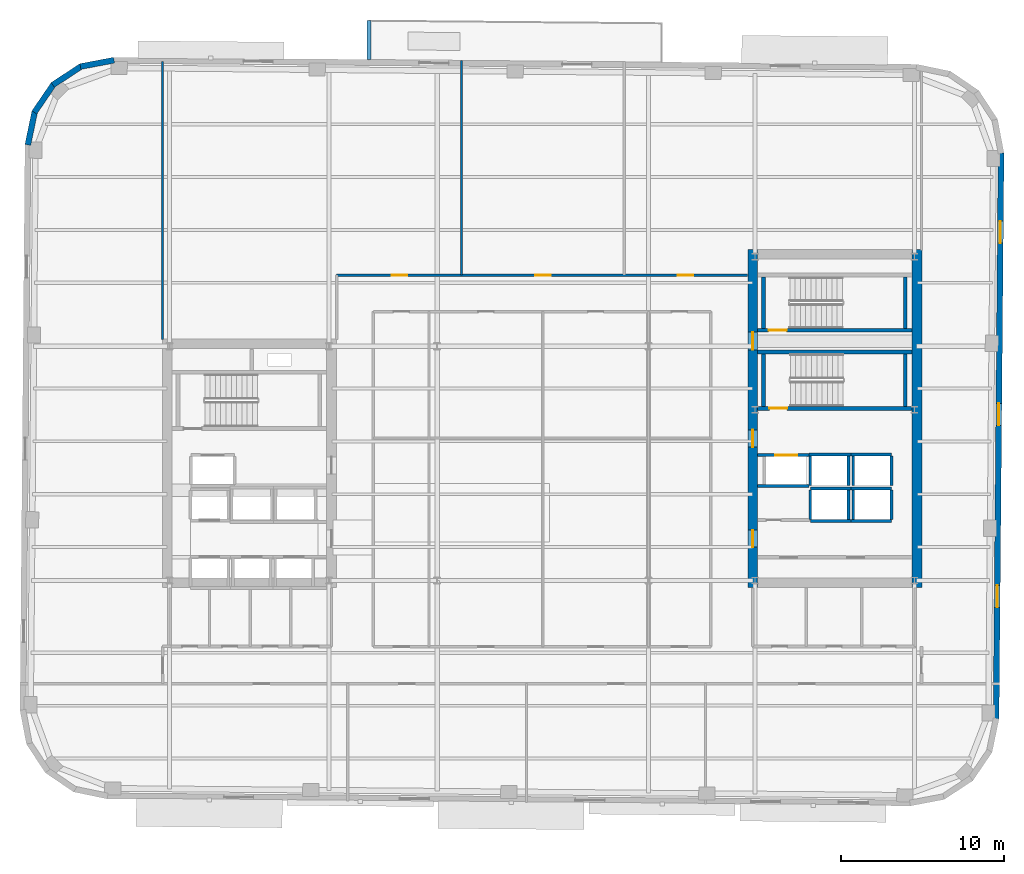
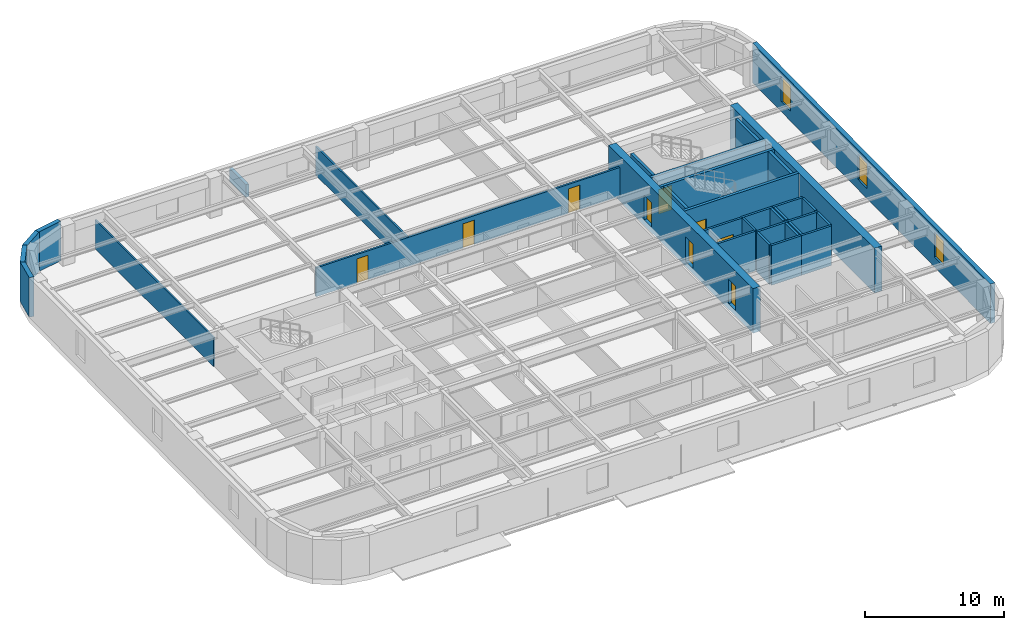
# One storey, part 6 of 11: 34 walls, 9 doors, 3 windows, 12 openings.
"""IFC4 building model written with IfcOpenShell, lengths in metres."""

from ifc_helpers import new_model, si_unit, direction, frame, frame_2d, origin, place, context, subcontext, project, spatial, rectangle, extrude, material, layer, layer_set, type_object, element, fill, save


model = new_model("IFC4")

# Units and contexts
model_context = context("Model", 3, precision=1e-05, world=origin(), true_north=direction((0.0, 1.0)))
body_context = subcontext(model_context, "Body", "Model", "MODEL_VIEW")
ifc_project = project(units=[si_unit("LENGTHUNIT", "METRE"), si_unit("AREAUNIT", "SQUARE_METRE"), si_unit("VOLUMEUNIT", "CUBIC_METRE"), si_unit("PLANEANGLEUNIT", "RADIAN"), si_unit("MASSUNIT", "GRAM", prefix="KILO")], contexts=[model_context])

# Site, building, storey
site_placement = place(None, origin())
site = spatial("IfcSite", under=ifc_project, at=site_placement, CompositionType="ELEMENT")
building_placement = place(site_placement, origin())
building = spatial("IfcBuilding", under=site, at=building_placement, Name="Kolvaren Arena Tower", CompositionType="ELEMENT")
storey_placement = place(building_placement, frame((0.0, 0.0, 158.449951171875)))
storey = spatial("IfcBuildingStorey", under=building, at=storey_placement, Name="L37", CompositionType="ELEMENT", Elevation=158.449951171875)

# Wall, openings, doors
ifc_material_1 = material(Name="Gypsum board acoustic assembly", Category="gypsum")
ifc_layer_1 = layer(ifc_material_1, 0.159912109375)
ifc_layer_set_1 = layer_set([ifc_layer_1], Name="Gypsum board acoustic assembly")
wall_type_1 = type_object("IfcWallType", Name="CORR-160", PredefinedType="PARTITIONING", material=ifc_layer_set_1)
wall_1_placement = place(storey_placement, frame((24.820068359375, 38.219970703125, 0.0), z_axis=(0.0, 0.0, 1.0), x_axis=(1.0, 0.0, 0.0)))
wall_1 = element("IfcWall", 1, at=wall_1_placement, inside=storey, type_object=wall_type_1, Name="Interior Partition Wall (L37)", PredefinedType="PARTITIONING", context=body_context, shape_type="SweptSolid", body=[
    extrude(rectangle(XDim=25.260009765625, YDim=0.159912109375, at=frame_2d((12.6298828125, 0.0))), origin(), (0.0, 0.0, 1.0), 2.5400390625),
])
opening_1_placement = place(wall_1_placement, frame((3.3798828125, 0.0, 0.0)))
opening_1 = element("IfcOpeningElement", 2, at=opening_1_placement, cuts=wall_1, Name="Opening D05", PredefinedType="OPENING", context=body_context, shape_type="SweptSolid", body=[
    extrude(rectangle(XDim=0.949951171875, YDim=2.14990234375, at=frame_2d((0.47509765625, 1.074951171875))), frame((0.0, 0.08984375, 0.0), z_axis=(0.0, -1.0, 0.0), x_axis=(1.0, 0.0, 0.0)), (0.0, 0.0, 1.0), 0.179931640625),
])
opening_2_placement = place(wall_1_placement, frame((12.205078125, 0.0, 0.0)))
opening_2 = element("IfcOpeningElement", 3, at=opening_2_placement, cuts=wall_1, Name="Opening D05", PredefinedType="OPENING", context=body_context, shape_type="SweptSolid", body=[
    extrude(rectangle(XDim=0.949951171875, YDim=2.14990234375, at=frame_2d((0.47509765625, 1.074951171875))), frame((0.0, 0.08984375, 0.0), z_axis=(0.0, -1.0, 0.0), x_axis=(1.0, 0.0, 0.0)), (0.0, 0.0, 1.0), 0.179931640625),
])
opening_3_placement = place(wall_1_placement, frame((20.97998046875, 0.0, 0.0)))
opening_3 = element("IfcOpeningElement", 4, at=opening_3_placement, cuts=wall_1, Name="Opening D05", PredefinedType="OPENING", context=body_context, shape_type="SweptSolid", body=[
    extrude(rectangle(XDim=0.949951171875, YDim=2.14990234375, at=frame_2d((0.47509765625, 1.074951171875))), frame((0.0, 0.08984375, 0.0), z_axis=(0.0, -1.0, 0.0), x_axis=(1.0, 0.0, 0.0)), (0.0, 0.0, 1.0), 0.179931640625),
])
ifc_material_2 = material(Name="Solid-core oak acoustic office door", Category="wood")
door_type_1 = type_object("IfcDoorType", Name="DOOR-OF-095", OperationType="NOTDEFINED", PredefinedType="DOOR", material=ifc_material_2)
door_1_placement = place(opening_1_placement, origin())
door_1 = element("IfcDoor", 5, at=door_1_placement, inside=storey, type_object=door_type_1, Name="Corporate Project Office Door (L37)", OperationType="SINGLE_SWING_LEFT", OverallHeight=2.14990234375, OverallWidth=0.949951171875, PredefinedType="DOOR", context=body_context, shape_type="SweptSolid", body=[
    extrude(rectangle(XDim=0.949951171875, YDim=2.14990234375, at=frame_2d((0.47509765625, 1.074951171875))), frame((0.0, 0.02490234375, 0.0), z_axis=(0.0, -1.0, 0.0), x_axis=(1.0, 0.0, 0.0)), (0.0, 0.0, 1.0), 0.050048828125),
])
fill(opening_1, door_1)
door_2_placement = place(opening_2_placement, origin())
door_2 = element("IfcDoor", 6, at=door_2_placement, inside=storey, type_object=door_type_1, Name="Breakout Pantry and Kitchen Door (L37)", OperationType="SINGLE_SWING_RIGHT", OverallHeight=2.14990234375, OverallWidth=0.949951171875, PredefinedType="DOOR", context=body_context, shape_type="SweptSolid", body=[
    extrude(rectangle(XDim=0.949951171875, YDim=2.14990234375, at=frame_2d((0.47509765625, 1.074951171875))), frame((0.0, 0.02490234375, 0.0), z_axis=(0.0, -1.0, 0.0), x_axis=(1.0, 0.0, 0.0)), (0.0, 0.0, 1.0), 0.050048828125),
])
fill(opening_2, door_2)
door_3_placement = place(opening_3_placement, origin())
door_3 = element("IfcDoor", 7, at=door_3_placement, inside=storey, type_object=door_type_1, Name="Open Plan Office Door (L37)", OperationType="SINGLE_SWING_LEFT", OverallHeight=2.14990234375, OverallWidth=0.949951171875, PredefinedType="DOOR", context=body_context, shape_type="SweptSolid", body=[
    extrude(rectangle(XDim=0.949951171875, YDim=2.14990234375, at=frame_2d((0.47509765625, 1.074951171875))), frame((0.0, 0.02490234375, 0.0), z_axis=(0.0, -1.0, 0.0), x_axis=(1.0, 0.0, 0.0)), (0.0, 0.0, 1.0), 0.050048828125),
])
fill(opening_3, door_3)

ifc_material_3 = material(Name="Concrete 60 MPa", Category="concrete")
ifc_layer_2 = layer(ifc_material_3, 0.60009765625)
ifc_layer_set_2 = layer_set([ifc_layer_2], Name="Concrete 60 MPa")
wall_type_2 = type_object("IfcWallType", Name="CWALL-600", PredefinedType="SHEAR", material=ifc_layer_set_2)
wall_2_placement = place(storey_placement, frame((50.39990234375, 19.0, -0.449951171875), z_axis=(0.0, 0.0, 1.0), x_axis=(0.0, 1.0, 0.0)))
wall_2 = element("IfcWall", 8, at=wall_2_placement, inside=storey, type_object=wall_type_2, Name="Core Shear Wall EC-WEST (L37)", PredefinedType="SHEAR", context=body_context, shape_type="SweptSolid", body=[
    extrude(rectangle(XDim=20.800048828125, YDim=0.60009765625, at=frame_2d((10.39990234375, 0.0))), origin(), (0.0, 0.0, 1.0), 3.929931640625),
])
opening_4_placement = place(wall_2_placement, frame((2.5, 0.0, 0.449951171875)))
opening_4 = element("IfcOpeningElement", 9, at=opening_4_placement, cuts=wall_2, Name="Opening D04", PredefinedType="OPENING", context=body_context, shape_type="SweptSolid", body=[
    extrude(rectangle(XDim=1.050048828125, YDim=2.14990234375, at=frame_2d((0.52490234375, 1.074951171875))), frame((0.0, 0.31005859375, 0.0), z_axis=(0.0, -1.0, 0.0), x_axis=(1.0, 0.0, 0.0)), (0.0, 0.0, 1.0), 0.6201171875),
])
opening_5_placement = place(wall_2_placement, frame((8.64990234375, 0.0, 0.449951171875)))
opening_5 = element("IfcOpeningElement", 10, at=opening_5_placement, cuts=wall_2, Name="Opening D04", PredefinedType="OPENING", context=body_context, shape_type="SweptSolid", body=[
    extrude(rectangle(XDim=1.050048828125, YDim=2.14990234375, at=frame_2d((0.52490234375, 1.074951171875))), frame((0.0, 0.31005859375, 0.0), z_axis=(0.0, -1.0, 0.0), x_axis=(1.0, 0.0, 0.0)), (0.0, 0.0, 1.0), 0.6201171875),
])
opening_6_placement = place(wall_2_placement, frame((14.6201171875, 0.0, 0.449951171875)))
opening_6 = element("IfcOpeningElement", 11, at=opening_6_placement, cuts=wall_2, Name="Opening D03", PredefinedType="OPENING", context=body_context, shape_type="SweptSolid", body=[
    extrude(rectangle(XDim=1.10009765625, YDim=2.14990234375, at=frame_2d((0.550048828125, 1.074951171875))), frame((0.0, 0.31005859375, 0.0), z_axis=(0.0, -1.0, 0.0), x_axis=(1.0, 0.0, 0.0)), (0.0, 0.0, 1.0), 0.6201171875),
])
ifc_material_4 = material(Name="Fire-rated steel lobby door", Category="steel")
door_type_2 = type_object("IfcDoorType", Name="DOOR-FF-105", OperationType="NOTDEFINED", PredefinedType="DOOR", material=ifc_material_4)
door_4_placement = place(opening_4_placement, origin())
door_4 = element("IfcDoor", 12, at=door_4_placement, inside=storey, type_object=door_type_2, Name="East Lift Lobby Fire Door (L37)", OperationType="SINGLE_SWING_RIGHT", OverallHeight=2.14990234375, OverallWidth=1.050048828125, PredefinedType="DOOR", context=body_context, shape_type="SweptSolid", body=[
    extrude(rectangle(XDim=1.050048828125, YDim=2.14990234375, at=frame_2d((0.52490234375, 1.074951171875))), frame((0.0, 0.02490234375, 0.0), z_axis=(0.0, -1.0, 0.0), x_axis=(1.0, 0.0, 0.0)), (0.0, 0.0, 1.0), 0.050048828125),
])
fill(opening_4, door_4)
door_5_placement = place(opening_5_placement, origin())
door_5 = element("IfcDoor", 13, at=door_5_placement, inside=storey, type_object=door_type_2, Name="East Firefighter Vestibule Door (L37)", OperationType="SINGLE_SWING_LEFT", OverallHeight=2.14990234375, OverallWidth=1.050048828125, PredefinedType="DOOR", context=body_context, shape_type="SweptSolid", body=[
    extrude(rectangle(XDim=1.050048828125, YDim=2.14990234375, at=frame_2d((0.52490234375, 1.074951171875))), frame((0.0, 0.02490234375, 0.0), z_axis=(0.0, -1.0, 0.0), x_axis=(1.0, 0.0, 0.0)), (0.0, 0.0, 1.0), 0.050048828125),
])
fill(opening_5, door_5)
ifc_material_5 = material(Name="Fire-rated steel exit stair door", Category="steel")
door_type_3 = type_object("IfcDoorType", Name="DOOR-ST-110", OperationType="NOTDEFINED", PredefinedType="DOOR", material=ifc_material_5)
door_6_placement = place(opening_6_placement, origin())
door_6 = element("IfcDoor", 14, at=door_6_placement, inside=storey, type_object=door_type_3, Name="Stair ST-E2 Vestibule Fire Door (L37)", OperationType="SINGLE_SWING_LEFT", OverallHeight=2.14990234375, OverallWidth=1.10009765625, PredefinedType="DOOR", context=body_context, shape_type="SweptSolid", body=[
    extrude(rectangle(XDim=1.10009765625, YDim=2.14990234375, at=frame_2d((0.550048828125, 1.074951171875))), frame((0.0, 0.02490234375, 0.0), z_axis=(0.0, -1.0, 0.0), x_axis=(1.0, 0.0, 0.0)), (0.0, 0.0, 1.0), 0.050048828125),
])
fill(opening_6, door_6)

# Wall
wall_3_placement = place(storey_placement, frame((60.5, 19.0, -0.449951171875), z_axis=(0.0, 0.0, 1.0), x_axis=(0.0, 1.0, 0.0)))
element("IfcWall", 15, at=wall_3_placement, inside=storey, type_object=wall_type_2, Name="Core Shear Wall EC-EAST (L37)", PredefinedType="SHEAR", context=body_context, shape_type="SweptSolid", body=[
    extrude(rectangle(XDim=20.800048828125, YDim=0.60009765625, at=frame_2d((10.39990234375, 0.0))), origin(), (0.0, 0.0, 1.0), 3.929931640625),
])

# Wall, openings, windows
ifc_material_6 = material(Name="Precast concrete C50/60", Category="concrete")
ifc_layer_3 = layer(ifc_material_6, 0.360107421875)
ifc_layer_set_3 = layer_set([ifc_layer_3], Name="Precast concrete C50/60")
wall_type_3 = type_object("IfcWallType", Name="EXT-PIER2", PredefinedType="SOLIDWALL", material=ifc_layer_set_3)
wall_4_placement = place(storey_placement, frame((65.670654296875, 45.73828125, 0.0), z_axis=(0.0, 0.0, 1.0), x_axis=(-0.008727348535, -0.999961915969, 0.0)))
wall_4 = element("IfcWall", 16, at=wall_4_placement, inside=storey, type_object=wall_type_3, Name="Exterior Precast Masonry-Frame Wall (L37)", PredefinedType="SOLIDWALL", context=body_context, shape_type="SweptSolid", body=[
    extrude(rectangle(XDim=34.7998046875, YDim=0.360107421875, at=frame_2d((17.39990234375, 0.0))), origin(), (0.0, 0.0, 1.0), 3.47998046875),
])
opening_7_placement = place(wall_4_placement, frame((4.199951171875, 0.0, 0.8798828125)))
opening_7 = element("IfcOpeningElement", 17, at=opening_7_placement, cuts=wall_4, Name="Opening W04", PredefinedType="OPENING", context=body_context, shape_type="SweptSolid", body=[
    extrude(rectangle(XDim=1.35009765625, YDim=2.199951171875, at=frame_2d((0.675048828125, 1.10009765625))), frame((0.0, 0.18994140625, 0.0), z_axis=(0.0, -1.0, 0.0), x_axis=(1.0, 0.0, 0.0)), (0.0, 0.0, 1.0), 0.380126953125),
])
opening_8_placement = place(wall_4_placement, frame((15.39990234375, 0.0, 0.8798828125)))
opening_8 = element("IfcOpeningElement", 18, at=opening_8_placement, cuts=wall_4, Name="Opening W04", PredefinedType="OPENING", context=body_context, shape_type="SweptSolid", body=[
    extrude(rectangle(XDim=1.35009765625, YDim=2.199951171875, at=frame_2d((0.675048828125, 1.10009765625))), frame((0.0, 0.18994140625, 0.0), z_axis=(0.0, -1.0, 0.0), x_axis=(1.0, 0.0, 0.0)), (0.0, 0.0, 1.0), 0.380126953125),
])
opening_9_placement = place(wall_4_placement, frame((26.60009765625, 0.0, 0.8798828125)))
opening_9 = element("IfcOpeningElement", 19, at=opening_9_placement, cuts=wall_4, Name="Opening W04", PredefinedType="OPENING", context=body_context, shape_type="SweptSolid", body=[
    extrude(rectangle(XDim=1.35009765625, YDim=2.199951171875, at=frame_2d((0.675048828125, 1.10009765625))), frame((0.0, 0.18994140625, 0.0), z_axis=(0.0, -1.0, 0.0), x_axis=(1.0, 0.0, 0.0)), (0.0, 0.0, 1.0), 0.380126953125),
])
ifc_material_7 = material(Name="Triple-glazed curved-facet corner window", Category="glass")
window_type = type_object("IfcWindowType", Name="WIN-CRN-A", PartitioningType="SINGLE_PANEL", PredefinedType="WINDOW", material=ifc_material_7)
window_1_placement = place(opening_7_placement, origin())
window_1 = element("IfcWindow", 20, at=window_1_placement, inside=storey, type_object=window_type, Name="End-Wall Punched Window (L37)", OverallHeight=2.199951171875, OverallWidth=1.35009765625, PartitioningType="SINGLE_PANEL", PredefinedType="WINDOW", context=body_context, shape_type="SweptSolid", body=[
    extrude(rectangle(XDim=1.35009765625, YDim=2.199951171875, at=frame_2d((0.675048828125, 1.10009765625))), frame((0.0, 0.030029296875, 0.0), z_axis=(0.0, -1.0, 0.0), x_axis=(1.0, 0.0, 0.0)), (0.0, 0.0, 1.0), 0.06005859375),
])
fill(opening_7, window_1)
window_2_placement = place(opening_8_placement, origin())
window_2 = element("IfcWindow", 21, at=window_2_placement, inside=storey, type_object=window_type, Name="End-Wall Punched Window (L37)", OverallHeight=2.199951171875, OverallWidth=1.35009765625, PartitioningType="SINGLE_PANEL", PredefinedType="WINDOW", context=body_context, shape_type="SweptSolid", body=[
    extrude(rectangle(XDim=1.35009765625, YDim=2.199951171875, at=frame_2d((0.675048828125, 1.10009765625))), frame((0.0, 0.030029296875, 0.0), z_axis=(0.0, -1.0, 0.0), x_axis=(1.0, 0.0, 0.0)), (0.0, 0.0, 1.0), 0.06005859375),
])
fill(opening_8, window_2)
window_3_placement = place(opening_9_placement, origin())
window_3 = element("IfcWindow", 22, at=window_3_placement, inside=storey, type_object=window_type, Name="End-Wall Punched Window (L37)", OverallHeight=2.199951171875, OverallWidth=1.35009765625, PartitioningType="SINGLE_PANEL", PredefinedType="WINDOW", context=body_context, shape_type="SweptSolid", body=[
    extrude(rectangle(XDim=1.35009765625, YDim=2.199951171875, at=frame_2d((0.675048828125, 1.10009765625))), frame((0.0, 0.030029296875, 0.0), z_axis=(0.0, -1.0, 0.0), x_axis=(1.0, 0.0, 0.0)), (0.0, 0.0, 1.0), 0.06005859375),
])
fill(opening_9, window_3)

# Walls
wall_5_placement = place(storey_placement, frame((9.0634765625, 51.044921875, 0.0), z_axis=(0.0, 0.0, 1.0), x_axis=(0.982445905584, 0.186547695246, 0.0)))
element("IfcWall", 23, at=wall_5_placement, inside=storey, type_object=wall_type_3, Name="Exterior Precast Masonry-Frame Wall (L37)", PredefinedType="SOLIDWALL", context=body_context, shape_type="SweptSolid", body=[
    extrude(rectangle(XDim=2.107177734375, YDim=0.360107421875, at=frame_2d((1.0537109375, 0.0))), origin(), (0.0, 0.0, 1.0), 3.47998046875),
])
for number, where, z_axis, x_axis, name in (
    (24, (7.36669921875, 49.916015625, 0.0), (0.0, 0.0, 1.0), (0.836268756678, 0.548319766745, 0.0), "Exterior Precast Masonry-Frame Wall (L37)"),
    (25, (6.23095703125, 48.223388671875, 0.0), (0.0, 0.0, 1.0), (0.56277581689, 0.826609569219, 0.0), "Exterior Precast Masonry-Frame Wall (L37)"),
    (26, (5.8291015625, 46.225341796875, 0.0), (0.0, 0.0, 1.0), (0.203709000552, 0.979031482177, 0.0), "Exterior Precast Masonry-Frame Wall (L37)"),
):
    element("IfcWall", number, at=place(storey_placement, frame(where, z_axis=z_axis, x_axis=x_axis)), inside=storey, type_object=wall_type_3, Name=name, PredefinedType="SOLIDWALL", context=body_context, shape_type="SweptSolid", body=[
        extrude(rectangle(XDim=2.10693359375, YDim=0.360107421875, at=frame_2d((1.053466796875, 0.0))), origin(), (0.0, 0.0, 1.0), 3.47998046875),
    ])
ifc_material_8 = material(Name="Precast concrete C45/55", Category="concrete")
ifc_layer_4 = layer(ifc_material_8, 0.25)
ifc_layer_set_4 = layer_set([ifc_layer_4], Name="Precast concrete C45/55")
wall_type_4 = type_object("IfcWallType", Name="PARAP-250", PredefinedType="PARAPET", material=ifc_layer_set_4)
wall_6_placement = place(storey_placement, frame((26.79931640625, 51.477783203125, 0.0), z_axis=(0.0, 0.0, 1.0), x_axis=(0.008748393587, 0.999961732073, 0.0)))
element("IfcWall", 27, at=wall_6_placement, inside=storey, type_object=wall_type_4, Name="Terrace Side Parapet Wall (L37)", PredefinedType="PARAPET", context=body_context, shape_type="SweptSolid", body=[
    extrude(rectangle(XDim=2.39990234375, YDim=0.25, at=frame_2d((1.199951171875, 0.0))), origin(), (0.0, 0.0, 1.0), 1.1201171875),
])
ifc_material_9 = material(Name="Gypsum board partition assembly", Category="gypsum")
ifc_layer_5 = layer(ifc_material_9, 0.135009765625)
ifc_layer_set_5 = layer_set([ifc_layer_5], Name="Gypsum board partition assembly")
wall_type_5 = type_object("IfcWallType", Name="PART-135", PredefinedType="PARTITIONING", material=ifc_layer_set_5)
wall_7_placement = place(storey_placement, frame((32.5, 38.219970703125, 0.0), z_axis=(0.0, 0.0, 1.0), x_axis=(0.0, 1.0, 0.0)))
element("IfcWall", 28, at=wall_7_placement, inside=storey, type_object=wall_type_5, Name="Interior Partition Wall (L37)", PredefinedType="PARTITIONING", context=body_context, shape_type="SweptSolid", body=[
    extrude(rectangle(XDim=13.2080078125, YDim=0.135009765625, at=frame_2d((6.60400390625, 0.0))), origin(), (0.0, 0.0, 1.0), 2.5400390625),
])
wall_8_placement = place(storey_placement, frame((14.1201171875, 34.25, 0.0), z_axis=(0.0, 0.0, 1.0), x_axis=(0.0, 1.0, 0.0)))
element("IfcWall", 29, at=wall_8_placement, inside=storey, type_object=wall_type_5, Name="Interior Partition Wall (L37)", PredefinedType="PARTITIONING", context=body_context, shape_type="SweptSolid", body=[
    extrude(rectangle(XDim=17.098388671875, YDim=0.135009765625, at=frame_2d((8.54931640625, 0.0))), origin(), (0.0, 0.0, 1.0), 2.5400390625),
])

# Wall, opening, door
ifc_material_10 = material(Name="Concrete 45 MPa", Category="concrete")
ifc_layer_6 = layer(ifc_material_10, 0.25)
ifc_layer_set_6 = layer_set([ifc_layer_6], Name="Concrete 45 MPa")
wall_type_6 = type_object("IfcWallType", Name="SHAFT-250", PredefinedType="SOLIDWALL", material=ifc_layer_set_6)
wall_9_placement = place(storey_placement, frame((60.199951171875, 30.030029296875, 0.0), z_axis=(0.0, 0.0, 1.0), x_axis=(-1.0, 0.0, 0.0)))
wall_9 = element("IfcWall", 30, at=wall_9_placement, inside=storey, type_object=wall_type_6, Name="Core Shaft Wall (L37)", PredefinedType="SOLIDWALL", context=body_context, shape_type="SweptSolid", body=[
    extrude(rectangle(XDim=9.5, YDim=0.239990234375, at=frame_2d((4.75, 0.0))), origin(), (0.0, 0.0, 1.0), 3.47998046875),
])
opening_10_placement = place(wall_9_placement, frame((7.679931640625, 0.0, 0.0)))
opening_10 = element("IfcOpeningElement", 31, at=opening_10_placement, cuts=wall_9, Name="Opening D03", PredefinedType="OPENING", context=body_context, shape_type="SweptSolid", body=[
    extrude(rectangle(XDim=1.10009765625, YDim=2.14990234375, at=frame_2d((0.550048828125, 1.074951171875))), frame((0.0, 0.1298828125, 0.0), z_axis=(0.0, -1.0, 0.0), x_axis=(1.0, 0.0, 0.0)), (0.0, 0.0, 1.0), 0.260009765625),
])
door_7_placement = place(opening_10_placement, origin())
door_7 = element("IfcDoor", 32, at=door_7_placement, inside=storey, type_object=door_type_3, Name="Stair ST-E1 Fire Door (L37)", OperationType="SINGLE_SWING_LEFT", OverallHeight=2.14990234375, OverallWidth=1.10009765625, PredefinedType="DOOR", context=body_context, shape_type="SweptSolid", body=[
    extrude(rectangle(XDim=1.10009765625, YDim=2.14990234375, at=frame_2d((0.550048828125, 1.074951171875))), frame((0.0, 0.02490234375, 0.0), z_axis=(0.0, -1.0, 0.0), x_axis=(1.0, 0.0, 0.0)), (0.0, 0.0, 1.0), 0.050048828125),
])
fill(opening_10, door_7)

# Walls
wall_10_placement = place(storey_placement, frame((50.699951171875, 33.5, 0.0), z_axis=(0.0, 0.0, 1.0), x_axis=(1.0, 0.0, 0.0)))
element("IfcWall", 33, at=wall_10_placement, inside=storey, type_object=wall_type_6, Name="Core Shaft Wall (L37)", PredefinedType="SOLIDWALL", context=body_context, shape_type="SweptSolid", body=[
    extrude(rectangle(XDim=9.5, YDim=0.239990234375, at=frame_2d((4.75, 0.0))), origin(), (0.0, 0.0, 1.0), 3.47998046875),
])
for number, where, z_axis, x_axis, name in (
    (34, (51.06005859375, 30.14990234375, 0.0), (0.0, 0.0, 1.0), (0.0, 1.0, 0.0), "Core Shaft Wall (L37)"),
    (35, (59.780029296875, 30.14990234375, 0.0), (0.0, 0.0, 1.0), (0.0, 1.0, 0.0), "Core Shaft Wall (L37)"),
):
    element("IfcWall", number, at=place(storey_placement, frame(where, z_axis=z_axis, x_axis=x_axis)), inside=storey, type_object=wall_type_6, Name=name, PredefinedType="SOLIDWALL", context=body_context, shape_type="SweptSolid", body=[
        extrude(rectangle(XDim=3.22998046875, YDim=0.239990234375, at=frame_2d((1.614990234375, 0.0))), origin(), (0.0, 0.0, 1.0), 3.47998046875),
    ])

# Wall, opening, door
wall_11_placement = place(storey_placement, frame((60.199951171875, 34.830078125, 0.0), z_axis=(0.0, 0.0, 1.0), x_axis=(-1.0, 0.0, 0.0)))
wall_11 = element("IfcWall", 36, at=wall_11_placement, inside=storey, type_object=wall_type_6, Name="Core Shaft Wall (L37)", PredefinedType="SOLIDWALL", context=body_context, shape_type="SweptSolid", body=[
    extrude(rectangle(XDim=9.5, YDim=0.239990234375, at=frame_2d((4.75, 0.0))), origin(), (0.0, 0.0, 1.0), 3.47998046875),
])
opening_11_placement = place(wall_11_placement, frame((7.719970703125, 0.0, 0.0)))
opening_11 = element("IfcOpeningElement", 37, at=opening_11_placement, cuts=wall_11, Name="Opening D03", PredefinedType="OPENING", context=body_context, shape_type="SweptSolid", body=[
    extrude(rectangle(XDim=1.10009765625, YDim=2.14990234375, at=frame_2d((0.550048828125, 1.074951171875))), frame((0.0, 0.1298828125, 0.0), z_axis=(0.0, -1.0, 0.0), x_axis=(1.0, 0.0, 0.0)), (0.0, 0.0, 1.0), 0.260009765625),
])
door_8_placement = place(opening_11_placement, origin())
door_8 = element("IfcDoor", 38, at=door_8_placement, inside=storey, type_object=door_type_3, Name="Stair ST-E2 Fire Door (L37)", OperationType="SINGLE_SWING_LEFT", OverallHeight=2.14990234375, OverallWidth=1.10009765625, PredefinedType="DOOR", context=body_context, shape_type="SweptSolid", body=[
    extrude(rectangle(XDim=1.10009765625, YDim=2.14990234375, at=frame_2d((0.550048828125, 1.074951171875))), frame((0.0, 0.02490234375, 0.0), z_axis=(0.0, -1.0, 0.0), x_axis=(1.0, 0.0, 0.0)), (0.0, 0.0, 1.0), 0.050048828125),
])
fill(opening_11, door_8)

# Walls
for number, where, z_axis, x_axis, name in (
    (39, (51.06005859375, 34.949951171875, 0.0), (0.0, 0.0, 1.0), (0.0, 1.0, 0.0), "Core Shaft Wall (L37)"),
    (40, (59.780029296875, 34.949951171875, 0.0), (0.0, 0.0, 1.0), (0.0, 1.0, 0.0), "Core Shaft Wall (L37)"),
):
    element("IfcWall", number, at=place(storey_placement, frame(where, z_axis=z_axis, x_axis=x_axis)), inside=storey, type_object=wall_type_6, Name=name, PredefinedType="SOLIDWALL", context=body_context, shape_type="SweptSolid", body=[
        extrude(rectangle(XDim=3.150146484375, YDim=0.239990234375, at=frame_2d((1.5751953125, 0.0))), origin(), (0.0, 0.0, 1.0), 3.47998046875),
    ])
for number, where, z_axis, x_axis, name in (
    (41, (53.93994140625, 25.10498046875, 0.0), (0.0, 0.0, 1.0), (1.0, 0.0, 0.0), "Core Shaft Wall (L37)"),
    (42, (53.93994140625, 23.094970703125, 0.0), (0.0, 0.0, 1.0), (1.0, 0.0, 0.0), "Core Shaft Wall (L37)"),
):
    element("IfcWall", number, at=place(storey_placement, frame(where, z_axis=z_axis, x_axis=x_axis)), inside=storey, type_object=wall_type_6, Name=name, PredefinedType="SOLIDWALL", context=body_context, shape_type="SweptSolid", body=[
        extrude(rectangle(XDim=2.5, YDim=0.179931640625, at=frame_2d((1.25, 0.0))), origin(), (0.0, 0.0, 1.0), 3.47998046875),
    ])
for number, where, z_axis, x_axis, name in (
    (43, (53.93994140625, 23.18505859375, 0.0), (0.0, 0.0, 1.0), (0.0, 1.0, 0.0), "Core Shaft Wall (L37)"),
    (44, (56.300048828125, 23.18505859375, 0.0), (0.0, 0.0, 1.0), (0.0, 1.0, 0.0), "Core Shaft Wall (L37)"),
):
    element("IfcWall", number, at=place(storey_placement, frame(where, z_axis=z_axis, x_axis=x_axis)), inside=storey, type_object=wall_type_6, Name=name, PredefinedType="SOLIDWALL", context=body_context, shape_type="SweptSolid", body=[
        extrude(rectangle(XDim=1.829833984375, YDim=0.179931640625, at=frame_2d((0.9150390625, 0.0))), origin(), (0.0, 0.0, 1.0), 3.47998046875),
    ])
for number, where, z_axis, x_axis, name in (
    (45, (56.43994140625, 25.10498046875, 0.0), (0.0, 0.0, 1.0), (1.0, 0.0, 0.0), "Core Shaft Wall (L37)"),
    (46, (56.43994140625, 23.094970703125, 0.0), (0.0, 0.0, 1.0), (1.0, 0.0, 0.0), "Core Shaft Wall (L37)"),
):
    element("IfcWall", number, at=place(storey_placement, frame(where, z_axis=z_axis, x_axis=x_axis)), inside=storey, type_object=wall_type_6, Name=name, PredefinedType="SOLIDWALL", context=body_context, shape_type="SweptSolid", body=[
        extrude(rectangle(XDim=2.5, YDim=0.179931640625, at=frame_2d((1.25, 0.0))), origin(), (0.0, 0.0, 1.0), 3.47998046875),
    ])
for number, where, z_axis, x_axis, name in (
    (47, (56.580078125, 23.18505859375, 0.0), (0.0, 0.0, 1.0), (0.0, 1.0, 0.0), "Core Shaft Wall (L37)"),
    (48, (58.93994140625, 23.18505859375, 0.0), (0.0, 0.0, 1.0), (0.0, 1.0, 0.0), "Core Shaft Wall (L37)"),
):
    element("IfcWall", number, at=place(storey_placement, frame(where, z_axis=z_axis, x_axis=x_axis)), inside=storey, type_object=wall_type_6, Name=name, PredefinedType="SOLIDWALL", context=body_context, shape_type="SweptSolid", body=[
        extrude(rectangle(XDim=1.829833984375, YDim=0.179931640625, at=frame_2d((0.9150390625, 0.0))), origin(), (0.0, 0.0, 1.0), 3.47998046875),
    ])
wall_12_placement = place(storey_placement, frame((53.864990234375, 27.205078125, 0.0), z_axis=(0.0, 0.0, 1.0), x_axis=(1.0, 0.0, 0.0)))
element("IfcWall", 49, at=wall_12_placement, inside=storey, type_object=wall_type_6, Name="Core Shaft Wall (L37)", PredefinedType="SOLIDWALL", context=body_context, shape_type="SweptSolid", body=[
    extrude(rectangle(XDim=2.574951171875, YDim=0.179931640625, at=frame_2d((1.28759765625, 0.0))), origin(), (0.0, 0.0, 1.0), 3.47998046875),
])
for number, where, z_axis, x_axis, name in (
    (50, (53.93994140625, 25.284912109375, 0.0), (0.0, 0.0, 1.0), (0.0, 1.0, 0.0), "Core Shaft Wall (L37)"),
    (51, (56.300048828125, 25.284912109375, 0.0), (0.0, 0.0, 1.0), (0.0, 1.0, 0.0), "Core Shaft Wall (L37)"),
):
    element("IfcWall", number, at=place(storey_placement, frame(where, z_axis=z_axis, x_axis=x_axis)), inside=storey, type_object=wall_type_6, Name=name, PredefinedType="SOLIDWALL", context=body_context, shape_type="SweptSolid", body=[
        extrude(rectangle(XDim=1.830078125, YDim=0.179931640625, at=frame_2d((0.9150390625, 0.0))), origin(), (0.0, 0.0, 1.0), 3.47998046875),
    ])
wall_13_placement = place(storey_placement, frame((56.43994140625, 27.205078125, 0.0), z_axis=(0.0, 0.0, 1.0), x_axis=(1.0, 0.0, 0.0)))
element("IfcWall", 52, at=wall_13_placement, inside=storey, type_object=wall_type_6, Name="Core Shaft Wall (L37)", PredefinedType="SOLIDWALL", context=body_context, shape_type="SweptSolid", body=[
    extrude(rectangle(XDim=2.5, YDim=0.179931640625, at=frame_2d((1.25, 0.0))), origin(), (0.0, 0.0, 1.0), 3.47998046875),
])
for number, where, z_axis, x_axis, name in (
    (53, (56.580078125, 25.284912109375, 0.0), (0.0, 0.0, 1.0), (0.0, 1.0, 0.0), "Core Shaft Wall (L37)"),
    (54, (58.93994140625, 25.284912109375, 0.0), (0.0, 0.0, 1.0), (0.0, 1.0, 0.0), "Core Shaft Wall (L37)"),
):
    element("IfcWall", number, at=place(storey_placement, frame(where, z_axis=z_axis, x_axis=x_axis)), inside=storey, type_object=wall_type_6, Name=name, PredefinedType="SOLIDWALL", context=body_context, shape_type="SweptSolid", body=[
        extrude(rectangle(XDim=1.830078125, YDim=0.179931640625, at=frame_2d((0.9150390625, 0.0))), origin(), (0.0, 0.0, 1.0), 3.47998046875),
    ])

# Wall, opening, door
wall_14_placement = place(storey_placement, frame((50.699951171875, 27.155029296875, 0.0), z_axis=(0.0, 0.0, 1.0), x_axis=(1.0, 0.0, 0.0)))
wall_14 = element("IfcWall", 55, at=wall_14_placement, inside=storey, type_object=wall_type_6, Name="Core Shaft Wall (L37)", PredefinedType="SOLIDWALL", context=body_context, shape_type="SweptSolid", body=[
    extrude(rectangle(XDim=3.1650390625, YDim=0.179931640625, at=frame_2d((1.58251953125, 0.0))), origin(), (0.0, 0.0, 1.0), 3.47998046875),
])
opening_12_placement = place(wall_14_placement, frame((1.0849609375, 0.0, 0.0)))
opening_12 = element("IfcOpeningElement", 56, at=opening_12_placement, cuts=wall_14, Name="Opening LD2", PredefinedType="OPENING", context=body_context, shape_type="SweptSolid", body=[
    extrude(rectangle(XDim=1.35009765625, YDim=2.300048828125, at=frame_2d((0.675048828125, 1.14990234375))), frame((0.0, 0.099853515625, 0.0), z_axis=(0.0, -1.0, 0.0), x_axis=(1.0, 0.0, 0.0)), (0.0, 0.0, 1.0), 0.199951171875),
])
ifc_material_11 = material(Name="Stainless steel firefighter lift landing door", Category="steel")
door_type_4 = type_object("IfcDoorType", Name="DOOR-LD-135", OperationType="DOUBLE_DOOR_SLIDING", PredefinedType="DOOR", material=ifc_material_11)
door_9_placement = place(opening_12_placement, origin())
door_9 = element("IfcDoor", 57, at=door_9_placement, inside=storey, type_object=door_type_4, Name="Firefighter Lift FF-E1 Landing Door (L37)", OperationType="DOUBLE_DOOR_SLIDING", OverallHeight=2.300048828125, OverallWidth=1.35009765625, PredefinedType="DOOR", context=body_context, shape_type="SweptSolid", body=[
    extrude(rectangle(XDim=1.35009765625, YDim=2.300048828125, at=frame_2d((0.675048828125, 1.14990234375))), frame((0.0, 0.02490234375, 0.0), z_axis=(0.0, -1.0, 0.0), x_axis=(1.0, 0.0, 0.0)), (0.0, 0.0, 1.0), 0.050048828125),
])
fill(opening_12, door_9)

# Wall
wall_15_placement = place(storey_placement, frame((50.699951171875, 25.2451171875, 0.0), z_axis=(0.0, 0.0, 1.0), x_axis=(1.0, 0.0, 0.0)))
element("IfcWall", 58, at=wall_15_placement, inside=storey, type_object=wall_type_6, Name="Core Shaft Wall (L37)", PredefinedType="SOLIDWALL", context=body_context, shape_type="SweptSolid", body=[
    extrude(rectangle(XDim=3.1650390625, YDim=0.179931640625, at=frame_2d((1.58251953125, 0.0))), origin(), (0.0, 0.0, 1.0), 3.47998046875),
])

save(model, "model.ifc")
